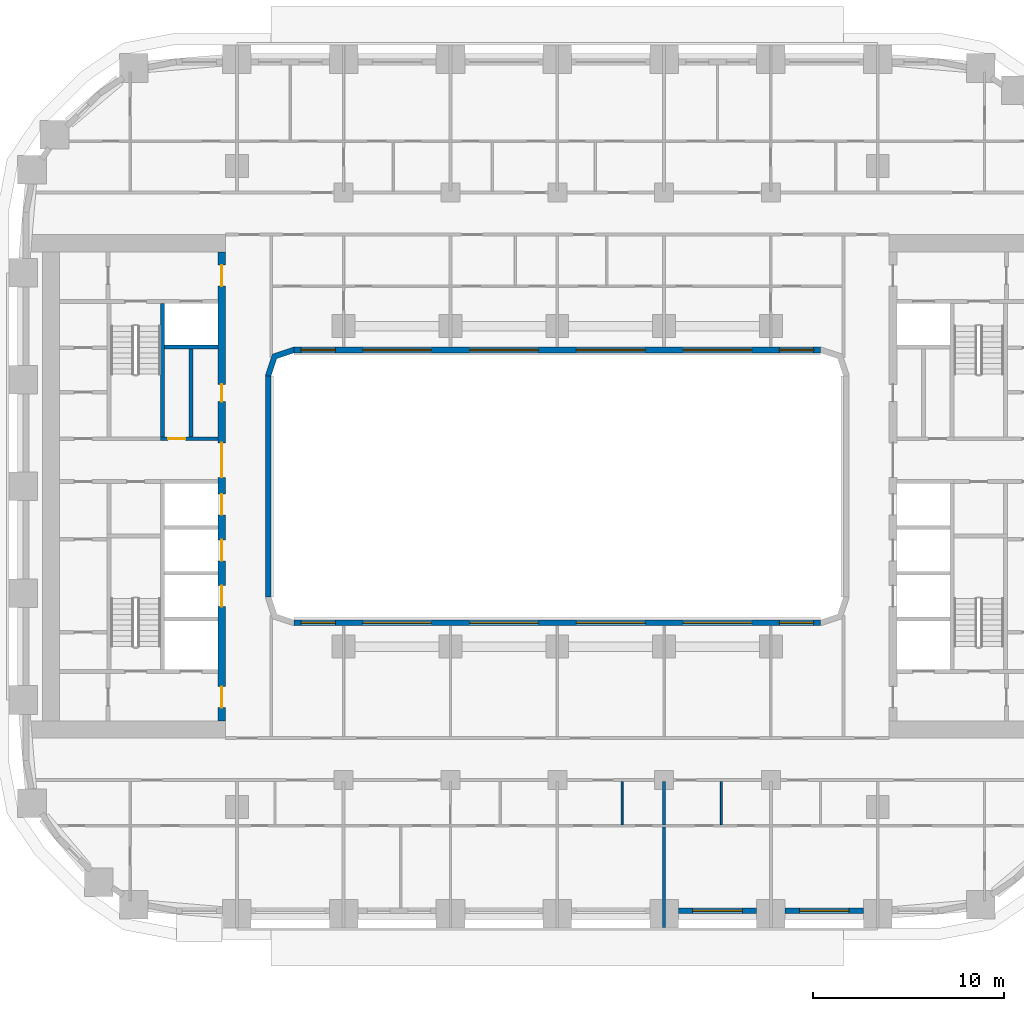
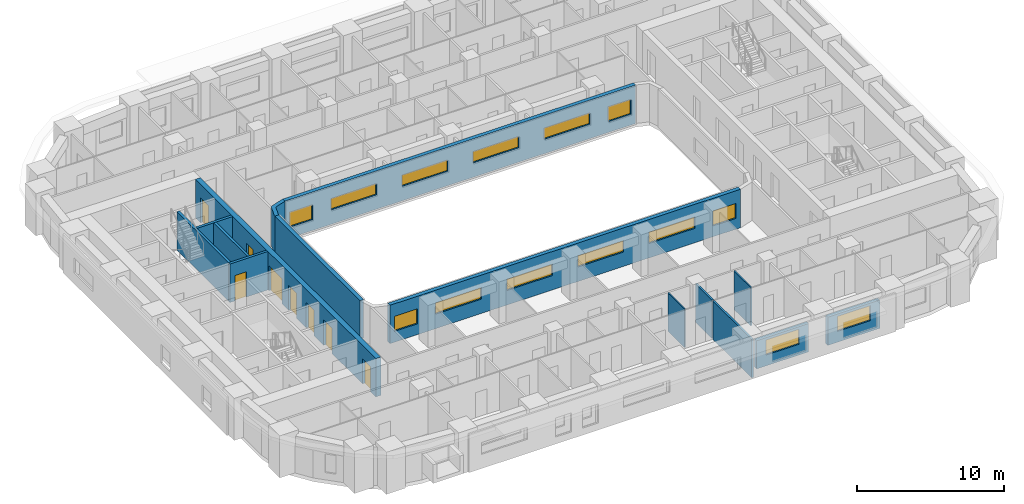
# One storey, part 5 of 21: 15 walls, 14 windows, 8 doors, 22 openings.
"""IFC4 building model written with IfcOpenShell, lengths in metres."""

from ifc_helpers import new_model, si_unit, direction, frame, frame_2d, origin, place, context, subcontext, project, spatial, polyline, rectangle, outline, extrude, material, layer, layer_set, type_object, element, fill, save


model = new_model("IFC4")

# Units and contexts
model_context = context("Model", 3, precision=1e-05, world=origin(), true_north=direction((0.0, 1.0)))
body_context = subcontext(model_context, "Body", "Model", "MODEL_VIEW")
ifc_project = project(units=[si_unit("LENGTHUNIT", "METRE"), si_unit("AREAUNIT", "SQUARE_METRE"), si_unit("VOLUMEUNIT", "CUBIC_METRE"), si_unit("PLANEANGLEUNIT", "RADIAN"), si_unit("MASSUNIT", "GRAM", prefix="KILO")], contexts=[model_context])

# Site, building, storey
site_placement = place(None, origin())
site = spatial("IfcSite", under=ifc_project, at=site_placement, CompositionType="ELEMENT")
building_placement = place(site_placement, origin())
building = spatial("IfcBuilding", under=site, at=building_placement, Name="Kiln Ring Residences", CompositionType="ELEMENT")
storey_placement = place(building_placement, frame((0.0, 0.0, 41.0)))
storey = spatial("IfcBuildingStorey", under=building, at=storey_placement, Name="L09", CompositionType="ELEMENT", Elevation=41.0)

# Wall
ifc_material_1 = material(Name="Gypsum board on steel studs", Category="steel")
ifc_layer_1 = layer(ifc_material_1, 0.199951171875)
ifc_layer_set_1 = layer_set([ifc_layer_1], Name="CORE-PARTITION-200")
wall_type_1 = type_object("IfcWallType", Name="CORE-PARTITION-200", PredefinedType="PARTITIONING", material=ifc_layer_set_1)
wall_1_placement = place(storey_placement, frame((-19.199951171875, 2.60009765625, 0.0), z_axis=(0.0, 0.0, 1.0), x_axis=(0.0, 1.0, 0.0)))
element("IfcWall", 1, at=wall_1_placement, inside=storey, type_object=wall_type_1, Name="Core partition west L09 3", PredefinedType="PARTITIONING", context=body_context, shape_type="SweptSolid", body=[
    extrude(rectangle(XDim=4.599853515625, YDim=0.199951171875, at=frame_2d((2.2998046875, 0.0))), origin(), (0.0, 0.0, 1.0), 3.199951171875),
])

# Wall, opening, door
ifc_material_2 = material(Name="Gypsum shaft wall system")
ifc_layer_2 = layer(ifc_material_2, 0.199951171875)
ifc_layer_set_2 = layer_set([ifc_layer_2], Name="CORE-SHAFT-WALL-200")
wall_type_2 = type_object("IfcWallType", Name="CORE-SHAFT-WALL-200", PredefinedType="PARTITIONING", material=ifc_layer_set_2)
wall_2_placement = place(storey_placement, frame((-17.800048828125, 2.5, 0.0), z_axis=(0.0, 0.0, 1.0), x_axis=(-1.0, 0.0, 0.0)))
wall_2 = element("IfcWall", 2, at=wall_2_placement, inside=storey, type_object=wall_type_2, Name="Core partition west L09 14", PredefinedType="PARTITIONING", context=body_context, shape_type="SweptSolid", body=[
    extrude(rectangle(XDim=3.0, YDim=0.199951171875, at=frame_2d((1.5, 0.0))), origin(), (0.0, 0.0, 1.0), 3.199951171875),
])
opening_1_placement = place(wall_2_placement, frame((1.699951171875, 0.0, 0.0)))
opening_1 = element("IfcOpeningElement", 3, at=opening_1_placement, cuts=wall_2, Name="Opening L09-CW06", PredefinedType="OPENING", context=body_context, shape_type="SweptSolid", body=[
    extrude(rectangle(XDim=0.89990234375, YDim=2.10009765625, at=frame_2d((0.449951171875, 1.050048828125))), frame((0.0, 0.10986328125, 0.0), z_axis=(0.0, -1.0, 0.0), x_axis=(1.0, 0.0, 0.0)), (0.0, 0.0, 1.0), 0.219970703125),
])
ifc_material_3 = material(Name="Steel door leaf", Category="steel")
door_type_1 = type_object("IfcDoorType", Name="CORE-DOOR-ROOM", OperationType="SINGLE_SWING_LEFT", PredefinedType="DOOR", material=ifc_material_3)
door_1_placement = place(opening_1_placement, origin())
door_1 = element("IfcDoor", 4, at=door_1_placement, inside=storey, type_object=door_type_1, Name="Cleaner's store L09-CW06", OperationType="SINGLE_SWING_LEFT", OverallHeight=2.10009765625, OverallWidth=0.89990234375, PredefinedType="DOOR", context=body_context, shape_type="SweptSolid", body=[
    extrude(rectangle(XDim=0.89990234375, YDim=2.10009765625, at=frame_2d((0.449951171875, 1.050048828125))), frame((0.0, 0.02490234375, 0.0), z_axis=(0.0, -1.0, 0.0), x_axis=(1.0, 0.0, 0.0)), (0.0, 0.0, 1.0), 0.050048828125),
])
fill(opening_1, door_1)

# Walls
wall_3_placement = place(storey_placement, frame((-17.800048828125, 7.300048828125, 0.0), z_axis=(0.0, 0.0, 1.0), x_axis=(-1.0, 0.0, 0.0)))
element("IfcWall", 5, at=wall_3_placement, inside=storey, type_object=wall_type_2, Name="Core partition west L09 15", PredefinedType="PARTITIONING", context=body_context, shape_type="SweptSolid", body=[
    extrude(rectangle(XDim=2.800048828125, YDim=0.199951171875, at=frame_2d((1.39990234375, 0.0))), origin(), (0.0, 0.0, 1.0), 3.199951171875),
])
ifc_material_4 = material(Name="Concrete C40/50", Category="concrete")
ifc_layer_3 = layer(ifc_material_4, 0.199951171875)
ifc_layer_set_3 = layer_set([ifc_layer_3], Name="CORE-WALL-RC200")
wall_type_3 = type_object("IfcWallType", Name="CORE-WALL-RC200", PredefinedType="SHEAR", material=ifc_layer_set_3)
wall_4_placement = place(storey_placement, frame((-20.699951171875, 2.60009765625, 0.0), z_axis=(0.0, 0.0, 1.0), x_axis=(0.0, 1.0, 0.0)))
element("IfcWall", 6, at=wall_4_placement, inside=storey, type_object=wall_type_3, Name="Core wall west L09 1", PredefinedType="SHEAR", context=body_context, shape_type="SweptSolid", body=[
    extrude(rectangle(XDim=7.0, YDim=0.199951171875, at=frame_2d((3.5, 0.0))), origin(), (0.0, 0.0, 1.0), 3.199951171875),
])

# Wall, openings, doors
ifc_material_5 = material(Name="Concrete C60/75", Category="concrete")
ifc_layer_4 = layer(ifc_material_5, 0.39990234375)
ifc_layer_set_4 = layer_set([ifc_layer_4], Name="CORE-WALL-RC400")
wall_type_4 = type_object("IfcWallType", Name="CORE-WALL-RC400", PredefinedType="SHEAR", material=ifc_layer_set_4)
wall_5_placement = place(storey_placement, frame((-17.60009765625, -12.300048828125, 0.0), z_axis=(0.0, 0.0, 1.0), x_axis=(0.0, 1.0, 0.0)))
wall_5 = element("IfcWall", 7, at=wall_5_placement, inside=storey, type_object=wall_type_4, Name="Core wall west L09 6", PredefinedType="SHEAR", context=body_context, shape_type="SweptSolid", body=[
    extrude(rectangle(XDim=24.60009765625, YDim=0.39990234375, at=frame_2d((12.300048828125, 0.0))), origin(), (0.0, 0.0, 1.0), 3.199951171875),
])
opening_2_placement = place(wall_5_placement, frame((6.0, 0.0, 0.0)))
opening_2 = element("IfcOpeningElement", 8, at=opening_2_placement, cuts=wall_5, Name="Opening L09-CW02", PredefinedType="OPENING", context=body_context, shape_type="SweptSolid", body=[
    extrude(rectangle(XDim=1.10009765625, YDim=2.10009765625, at=frame_2d((0.550048828125, 1.050048828125))), frame((0.0, 0.2099609375, 0.0), z_axis=(0.0, -1.0, 0.0), x_axis=(1.0, 0.0, 0.0)), (0.0, 0.0, 1.0), 0.419921875),
])
opening_3_placement = place(wall_5_placement, frame((8.39990234375, 0.0, 0.0)))
opening_3 = element("IfcOpeningElement", 9, at=opening_3_placement, cuts=wall_5, Name="Opening L09-CW03", PredefinedType="OPENING", context=body_context, shape_type="SweptSolid", body=[
    extrude(rectangle(XDim=1.10009765625, YDim=2.10009765625, at=frame_2d((0.550048828125, 1.050048828125))), frame((0.0, 0.2099609375, 0.0), z_axis=(0.0, -1.0, 0.0), x_axis=(1.0, 0.0, 0.0)), (0.0, 0.0, 1.0), 0.419921875),
])
opening_4_placement = place(wall_5_placement, frame((10.800048828125, 0.0, 0.0)))
opening_4 = element("IfcOpeningElement", 10, at=opening_4_placement, cuts=wall_5, Name="Opening L09-CW04", PredefinedType="OPENING", context=body_context, shape_type="SweptSolid", body=[
    extrude(rectangle(XDim=1.10009765625, YDim=2.10009765625, at=frame_2d((0.550048828125, 1.050048828125))), frame((0.0, 0.2099609375, 0.0), z_axis=(0.0, -1.0, 0.0), x_axis=(1.0, 0.0, 0.0)), (0.0, 0.0, 1.0), 0.419921875),
])
opening_5_placement = place(wall_5_placement, frame((16.75, 0.0, 0.0)))
opening_5 = element("IfcOpeningElement", 11, at=opening_5_placement, cuts=wall_5, Name="Opening L09-CW05", PredefinedType="OPENING", context=body_context, shape_type="SweptSolid", body=[
    extrude(rectangle(XDim=0.89990234375, YDim=2.10009765625, at=frame_2d((0.449951171875, 1.050048828125))), frame((0.0, 0.2099609375, 0.0), z_axis=(0.0, -1.0, 0.0), x_axis=(1.0, 0.0, 0.0)), (0.0, 0.0, 1.0), 0.419921875),
])
opening_6_placement = place(wall_5_placement, frame((22.800048828125, 0.0, 0.0)))
opening_6 = element("IfcOpeningElement", 12, at=opening_6_placement, cuts=wall_5, Name="Opening L09-CW08", PredefinedType="OPENING", context=body_context, shape_type="SweptSolid", body=[
    extrude(rectangle(XDim=1.10009765625, YDim=2.10009765625, at=frame_2d((0.550048828125, 1.050048828125))), frame((0.0, 0.2099609375, 0.0), z_axis=(0.0, -1.0, 0.0), x_axis=(1.0, 0.0, 0.0)), (0.0, 0.0, 1.0), 0.419921875),
])
opening_7_placement = place(wall_5_placement, frame((0.699951171875, 0.0, 0.0)))
opening_7 = element("IfcOpeningElement", 13, at=opening_7_placement, cuts=wall_5, Name="Opening L09-CW09", PredefinedType="OPENING", context=body_context, shape_type="SweptSolid", body=[
    extrude(rectangle(XDim=1.10009765625, YDim=2.10009765625, at=frame_2d((0.550048828125, 1.050048828125))), frame((0.0, 0.2099609375, 0.0), z_axis=(0.0, -1.0, 0.0), x_axis=(1.0, 0.0, 0.0)), (0.0, 0.0, 1.0), 0.419921875),
])
opening_8_placement = place(wall_5_placement, frame((12.77490234375, 0.0, 0.0)))
opening_8 = element("IfcOpeningElement", 14, at=opening_8_placement, cuts=wall_5, Name="Opening L09-CW14", PredefinedType="OPENING", context=body_context, shape_type="SweptSolid", body=[
    extrude(rectangle(XDim=1.800048828125, YDim=2.10009765625, at=frame_2d((0.89990234375, 1.050048828125))), frame((0.0, 0.2099609375, 0.0), z_axis=(0.0, -1.0, 0.0), x_axis=(1.0, 0.0, 0.0)), (0.0, 0.0, 1.0), 0.419921875),
])
ifc_material_6 = material(Name="Steel door leaf", Category="steel")
door_type_2 = type_object("IfcDoorType", Name="CORE-DOOR-LD", OperationType="DOUBLE_DOOR_SLIDING", PredefinedType="DOOR", material=ifc_material_6)
door_2_placement = place(opening_2_placement, origin())
door_2 = element("IfcDoor", 15, at=door_2_placement, inside=storey, type_object=door_type_2, Name="LD W-L1 L09-CW02", OperationType="DOUBLE_DOOR_SLIDING", OverallHeight=2.10009765625, OverallWidth=1.10009765625, PredefinedType="DOOR", context=body_context, shape_type="SweptSolid", body=[
    extrude(rectangle(XDim=1.10009765625, YDim=2.10009765625, at=frame_2d((0.550048828125, 1.050048828125))), frame((0.0, 0.02490234375, 0.0), z_axis=(0.0, -1.0, 0.0), x_axis=(1.0, 0.0, 0.0)), (0.0, 0.0, 1.0), 0.050048828125),
])
fill(opening_2, door_2)
door_3_placement = place(opening_3_placement, origin())
door_3 = element("IfcDoor", 16, at=door_3_placement, inside=storey, type_object=door_type_2, Name="LD W-L2 L09-CW03", OperationType="DOUBLE_DOOR_SLIDING", OverallHeight=2.10009765625, OverallWidth=1.10009765625, PredefinedType="DOOR", context=body_context, shape_type="SweptSolid", body=[
    extrude(rectangle(XDim=1.10009765625, YDim=2.10009765625, at=frame_2d((0.550048828125, 1.050048828125))), frame((0.0, 0.02490234375, 0.0), z_axis=(0.0, -1.0, 0.0), x_axis=(1.0, 0.0, 0.0)), (0.0, 0.0, 1.0), 0.050048828125),
])
fill(opening_3, door_3)
door_4_placement = place(opening_4_placement, origin())
door_4 = element("IfcDoor", 17, at=door_4_placement, inside=storey, type_object=door_type_2, Name="LD W-L3 L09-CW04", OperationType="DOUBLE_DOOR_SLIDING", OverallHeight=2.10009765625, OverallWidth=1.10009765625, PredefinedType="DOOR", context=body_context, shape_type="SweptSolid", body=[
    extrude(rectangle(XDim=1.10009765625, YDim=2.10009765625, at=frame_2d((0.550048828125, 1.050048828125))), frame((0.0, 0.02490234375, 0.0), z_axis=(0.0, -1.0, 0.0), x_axis=(1.0, 0.0, 0.0)), (0.0, 0.0, 1.0), 0.050048828125),
])
fill(opening_4, door_4)
ifc_material_7 = material(Name="Steel door leaf", Category="steel")
door_type_3 = type_object("IfcDoorType", Name="CORE-DOOR-LOBBY", OperationType="SINGLE_SWING_LEFT", PredefinedType="DOOR", material=ifc_material_7)
door_5_placement = place(opening_6_placement, origin())
door_5 = element("IfcDoor", 18, at=door_5_placement, inside=storey, type_object=door_type_3, Name="FFL L09-CW08", OperationType="SINGLE_SWING_LEFT", OverallHeight=2.10009765625, OverallWidth=1.10009765625, PredefinedType="DOOR", context=body_context, shape_type="SweptSolid", body=[
    extrude(rectangle(XDim=1.10009765625, YDim=2.10009765625, at=frame_2d((0.550048828125, 1.050048828125))), frame((0.0, 0.02490234375, 0.0), z_axis=(0.0, -1.0, 0.0), x_axis=(1.0, 0.0, 0.0)), (0.0, 0.0, 1.0), 0.050048828125),
])
fill(opening_6, door_5)
door_6_placement = place(opening_7_placement, origin())
door_6 = element("IfcDoor", 19, at=door_6_placement, inside=storey, type_object=door_type_3, Name="SVL L09-CW09", OperationType="SINGLE_SWING_RIGHT", OverallHeight=2.10009765625, OverallWidth=1.10009765625, PredefinedType="DOOR", context=body_context, shape_type="SweptSolid", body=[
    extrude(rectangle(XDim=1.10009765625, YDim=2.10009765625, at=frame_2d((0.550048828125, 1.050048828125))), frame((0.0, 0.02490234375, 0.0), z_axis=(0.0, -1.0, 0.0), x_axis=(1.0, 0.0, 0.0)), (0.0, 0.0, 1.0), 0.050048828125),
])
fill(opening_7, door_6)
ifc_material_8 = material(Name="Steel door leaf", Category="steel")
door_type_4 = type_object("IfcDoorType", Name="CORE-DOOR-PASS", OperationType="DOUBLE_DOOR_SINGLE_SWING", PredefinedType="DOOR", material=ifc_material_8)
door_7_placement = place(opening_8_placement, origin())
door_7 = element("IfcDoor", 20, at=door_7_placement, inside=storey, type_object=door_type_4, Name="Core passage L09-CW14", OperationType="DOUBLE_DOOR_SINGLE_SWING", OverallHeight=2.10009765625, OverallWidth=1.800048828125, PredefinedType="DOOR", context=body_context, shape_type="SweptSolid", body=[
    extrude(rectangle(XDim=1.800048828125, YDim=2.10009765625, at=frame_2d((0.89990234375, 1.050048828125))), frame((0.0, 0.02490234375, 0.0), z_axis=(0.0, -1.0, 0.0), x_axis=(1.0, 0.0, 0.0)), (0.0, 0.0, 1.0), 0.050048828125),
])
fill(opening_8, door_7)
door_8_placement = place(opening_5_placement, origin())
door_8 = element("IfcDoor", 21, at=door_8_placement, inside=storey, type_object=door_type_1, Name="Storage room L09-CW05", OperationType="SINGLE_SWING_LEFT", OverallHeight=2.10009765625, OverallWidth=0.89990234375, PredefinedType="DOOR", context=body_context, shape_type="SweptSolid", body=[
    extrude(rectangle(XDim=0.89990234375, YDim=2.10009765625, at=frame_2d((0.449951171875, 1.050048828125))), frame((0.0, 0.02490234375, 0.0), z_axis=(0.0, -1.0, 0.0), x_axis=(1.0, 0.0, 0.0)), (0.0, 0.0, 1.0), 0.050048828125),
])
fill(opening_5, door_8)

# Wall, opening, window
ifc_material_9 = material(Name="Brick masonry, dark clay brick", Category="masonry")
ifc_layer_5 = layer(ifc_material_9, 0.300048828125)
ifc_layer_set_5 = layer_set([ifc_layer_5], Name="EW-300 BRICK WALL")
wall_type_5 = type_object("IfcWallType", Name="EW-300 BRICK WALL", PredefinedType="SOLIDWALL", material=ifc_layer_set_5)
wall_6_placement = place(storey_placement, frame((6.35009765625, -22.25, 0.0), z_axis=(0.0, 0.0, 1.0), x_axis=(1.0, 0.0, 0.0)))
wall_6 = element("IfcWall", 22, at=wall_6_placement, inside=storey, type_object=wall_type_5, Name="Facade wall L09 9", PredefinedType="SOLIDWALL", context=body_context, shape_type="SweptSolid", body=[
    extrude(rectangle(XDim=4.099853515625, YDim=0.300048828125, at=frame_2d((2.0498046875, 0.0))), origin(), (0.0, 0.0, 1.0), 2.35009765625),
])
opening_9_placement = place(wall_6_placement, frame((0.75, 0.0, 0.89990234375)))
opening_9 = element("IfcOpeningElement", 23, at=opening_9_placement, cuts=wall_6, Name="Opening W3", PredefinedType="OPENING", context=body_context, shape_type="SweptSolid", body=[
    extrude(rectangle(XDim=2.60009765625, YDim=1.25, at=frame_2d((1.300048828125, 0.625))), frame((0.0, 0.159912109375, 0.0), z_axis=(0.0, -1.0, 0.0), x_axis=(1.0, 0.0, 0.0)), (0.0, 0.0, 1.0), 0.320068359375),
])
ifc_material_10 = material(Name="Aluminium frame with double glazing", Category="aluminium")
window_type_1 = type_object("IfcWindowType", Name="WINDOW 2600 x 1250", PartitioningType="SINGLE_PANEL", PredefinedType="WINDOW", material=ifc_material_10)
window_1_placement = place(opening_9_placement, origin())
window_1 = element("IfcWindow", 24, at=window_1_placement, inside=storey, type_object=window_type_1, Name="Window L09 8", OverallHeight=1.25, OverallWidth=2.60009765625, PartitioningType="SINGLE_PANEL", PredefinedType="WINDOW", context=body_context, shape_type="SweptSolid", body=[
    extrude(rectangle(XDim=2.60009765625, YDim=1.25, at=frame_2d((1.300048828125, 0.625))), frame((0.0, 0.030029296875, 0.0), z_axis=(0.0, -1.0, 0.0), x_axis=(1.0, 0.0, 0.0)), (0.0, 0.0, 1.0), 0.06005859375),
])
fill(opening_9, window_1)

wall_7_placement = place(storey_placement, frame((11.949951171875, -22.25, 0.0), z_axis=(0.0, 0.0, 1.0), x_axis=(1.0, 0.0, 0.0)))
wall_7 = element("IfcWall", 25, at=wall_7_placement, inside=storey, type_object=wall_type_5, Name="Facade wall L09 10", PredefinedType="SOLIDWALL", context=body_context, shape_type="SweptSolid", body=[
    extrude(rectangle(XDim=4.10009765625, YDim=0.300048828125, at=frame_2d((2.050048828125, 0.0))), origin(), (0.0, 0.0, 1.0), 2.35009765625),
])
opening_10_placement = place(wall_7_placement, frame((0.75, 0.0, 0.89990234375)))
opening_10 = element("IfcOpeningElement", 26, at=opening_10_placement, cuts=wall_7, Name="Opening W3", PredefinedType="OPENING", context=body_context, shape_type="SweptSolid", body=[
    extrude(rectangle(XDim=2.60009765625, YDim=1.25, at=frame_2d((1.300048828125, 0.625))), frame((0.0, 0.159912109375, 0.0), z_axis=(0.0, -1.0, 0.0), x_axis=(1.0, 0.0, 0.0)), (0.0, 0.0, 1.0), 0.320068359375),
])
window_2_placement = place(opening_10_placement, origin())
window_2 = element("IfcWindow", 27, at=window_2_placement, inside=storey, type_object=window_type_1, Name="Window L09 9", OverallHeight=1.25, OverallWidth=2.60009765625, PartitioningType="SINGLE_PANEL", PredefinedType="WINDOW", context=body_context, shape_type="SweptSolid", body=[
    extrude(rectangle(XDim=2.60009765625, YDim=1.25, at=frame_2d((1.300048828125, 0.625))), frame((0.0, 0.030029296875, 0.0), z_axis=(0.0, -1.0, 0.0), x_axis=(1.0, 0.0, 0.0)), (0.0, 0.0, 1.0), 0.06005859375),
])
fill(opening_10, window_2)

# Wall
wall_8_placement = place(storey_placement, frame((-15.14990234375, -5.800048828125, 0.0), z_axis=(0.0, 0.0, 1.0), x_axis=(0.0, 1.0, 0.0)))
element("IfcWall", 28, at=wall_8_placement, inside=storey, type_object=wall_type_5, Name="Facade wall L09 49", PredefinedType="SOLIDWALL", context=body_context, shape_type="SweptSolid", body=[
    extrude(rectangle(XDim=11.60009765625, YDim=0.300048828125, at=frame_2d((5.800048828125, 0.0))), origin(), (0.0, 0.0, 1.0), 3.199951171875),
])

# Wall, openings, windows
wall_9_placement = place(storey_placement, frame((-13.800048828125, 7.14990234375, 0.0), z_axis=(0.0, 0.0, 1.0), x_axis=(1.0, 0.0, 0.0)))
wall_9 = element("IfcWall", 29, at=wall_9_placement, inside=storey, type_object=wall_type_5, Name="Facade wall L09 50", PredefinedType="SOLIDWALL", context=body_context, shape_type="SweptSolid", body=[
    extrude(rectangle(XDim=27.60009765625, YDim=0.300048828125, at=frame_2d((13.800048828125, 0.0))), origin(), (0.0, 0.0, 1.0), 3.199951171875),
])
opening_11_placement = place(wall_9_placement, frame((0.362548828125, 0.0, 0.89990234375)))
opening_11 = element("IfcOpeningElement", 30, at=opening_11_placement, cuts=wall_9, Name="Opening W2", PredefinedType="OPENING", context=body_context, shape_type="SweptSolid", body=[
    extrude(rectangle(XDim=1.800048828125, YDim=1.25, at=frame_2d((0.89990234375, 0.625))), frame((0.0, 0.159912109375, 0.0), z_axis=(0.0, -1.0, 0.0), x_axis=(1.0, 0.0, 0.0)), (0.0, 0.0, 1.0), 0.320068359375),
])
opening_12_placement = place(wall_9_placement, frame((3.60009765625, 0.0, 1.199951171875)))
opening_12 = element("IfcOpeningElement", 31, at=opening_12_placement, cuts=wall_9, Name="Opening W4", PredefinedType="OPENING", context=body_context, shape_type="SweptSolid", body=[
    extrude(rectangle(XDim=3.60009765625, YDim=0.949951171875, at=frame_2d((1.800048828125, 0.47509765625))), frame((0.0, 0.159912109375, 0.0), z_axis=(0.0, -1.0, 0.0), x_axis=(1.0, 0.0, 0.0)), (0.0, 0.0, 1.0), 0.320068359375),
])
opening_13_placement = place(wall_9_placement, frame((9.199951171875, 0.0, 1.199951171875)))
opening_13 = element("IfcOpeningElement", 32, at=opening_13_placement, cuts=wall_9, Name="Opening W4", PredefinedType="OPENING", context=body_context, shape_type="SweptSolid", body=[
    extrude(rectangle(XDim=3.60009765625, YDim=0.949951171875, at=frame_2d((1.800048828125, 0.47509765625))), frame((0.0, 0.159912109375, 0.0), z_axis=(0.0, -1.0, 0.0), x_axis=(1.0, 0.0, 0.0)), (0.0, 0.0, 1.0), 0.320068359375),
])
opening_14_placement = place(wall_9_placement, frame((14.800048828125, 0.0, 1.199951171875)))
opening_14 = element("IfcOpeningElement", 33, at=opening_14_placement, cuts=wall_9, Name="Opening W4", PredefinedType="OPENING", context=body_context, shape_type="SweptSolid", body=[
    extrude(rectangle(XDim=3.60009765625, YDim=0.949951171875, at=frame_2d((1.800048828125, 0.47509765625))), frame((0.0, 0.159912109375, 0.0), z_axis=(0.0, -1.0, 0.0), x_axis=(1.0, 0.0, 0.0)), (0.0, 0.0, 1.0), 0.320068359375),
])
opening_15_placement = place(wall_9_placement, frame((20.39990234375, 0.0, 1.199951171875)))
opening_15 = element("IfcOpeningElement", 34, at=opening_15_placement, cuts=wall_9, Name="Opening W4", PredefinedType="OPENING", context=body_context, shape_type="SweptSolid", body=[
    extrude(rectangle(XDim=3.60009765625, YDim=0.949951171875, at=frame_2d((1.800048828125, 0.47509765625))), frame((0.0, 0.159912109375, 0.0), z_axis=(0.0, -1.0, 0.0), x_axis=(1.0, 0.0, 0.0)), (0.0, 0.0, 1.0), 0.320068359375),
])
opening_16_placement = place(wall_9_placement, frame((25.4375, 0.0, 0.89990234375)))
opening_16 = element("IfcOpeningElement", 35, at=opening_16_placement, cuts=wall_9, Name="Opening W2", PredefinedType="OPENING", context=body_context, shape_type="SweptSolid", body=[
    extrude(rectangle(XDim=1.800048828125, YDim=1.25, at=frame_2d((0.89990234375, 0.625))), frame((0.0, 0.159912109375, 0.0), z_axis=(0.0, -1.0, 0.0), x_axis=(1.0, 0.0, 0.0)), (0.0, 0.0, 1.0), 0.320068359375),
])
ifc_material_11 = material(Name="Aluminium frame with double glazing", Category="aluminium")
window_type_2 = type_object("IfcWindowType", Name="WINDOW 1800 x 1250", PartitioningType="SINGLE_PANEL", PredefinedType="WINDOW", material=ifc_material_11)
window_3_placement = place(opening_11_placement, origin())
window_3 = element("IfcWindow", 36, at=window_3_placement, inside=storey, type_object=window_type_2, Name="Window L09 24", OverallHeight=1.25, OverallWidth=1.800048828125, PartitioningType="SINGLE_PANEL", PredefinedType="WINDOW", context=body_context, shape_type="SweptSolid", body=[
    extrude(rectangle(XDim=1.800048828125, YDim=1.25, at=frame_2d((0.89990234375, 0.625))), frame((0.0, 0.030029296875, 0.0), z_axis=(0.0, -1.0, 0.0), x_axis=(1.0, 0.0, 0.0)), (0.0, 0.0, 1.0), 0.06005859375),
])
fill(opening_11, window_3)
window_4_placement = place(opening_16_placement, origin())
window_4 = element("IfcWindow", 37, at=window_4_placement, inside=storey, type_object=window_type_2, Name="Window L09 29", OverallHeight=1.25, OverallWidth=1.800048828125, PartitioningType="SINGLE_PANEL", PredefinedType="WINDOW", context=body_context, shape_type="SweptSolid", body=[
    extrude(rectangle(XDim=1.800048828125, YDim=1.25, at=frame_2d((0.89990234375, 0.625))), frame((0.0, 0.030029296875, 0.0), z_axis=(0.0, -1.0, 0.0), x_axis=(1.0, 0.0, 0.0)), (0.0, 0.0, 1.0), 0.06005859375),
])
fill(opening_16, window_4)
ifc_material_12 = material(Name="Aluminium frame with double glazing", Category="aluminium")
window_type_3 = type_object("IfcWindowType", Name="WINDOW 3600 x 950", PartitioningType="SINGLE_PANEL", PredefinedType="WINDOW", material=ifc_material_12)
window_5_placement = place(opening_12_placement, origin())
window_5 = element("IfcWindow", 38, at=window_5_placement, inside=storey, type_object=window_type_3, Name="Window L09 25", OverallHeight=0.949951171875, OverallWidth=3.60009765625, PartitioningType="SINGLE_PANEL", PredefinedType="WINDOW", context=body_context, shape_type="SweptSolid", body=[
    extrude(rectangle(XDim=3.60009765625, YDim=0.949951171875, at=frame_2d((1.800048828125, 0.47509765625))), frame((0.0, 0.030029296875, 0.0), z_axis=(0.0, -1.0, 0.0), x_axis=(1.0, 0.0, 0.0)), (0.0, 0.0, 1.0), 0.06005859375),
])
fill(opening_12, window_5)
window_6_placement = place(opening_13_placement, origin())
window_6 = element("IfcWindow", 39, at=window_6_placement, inside=storey, type_object=window_type_3, Name="Window L09 26", OverallHeight=0.949951171875, OverallWidth=3.60009765625, PartitioningType="SINGLE_PANEL", PredefinedType="WINDOW", context=body_context, shape_type="SweptSolid", body=[
    extrude(rectangle(XDim=3.60009765625, YDim=0.949951171875, at=frame_2d((1.800048828125, 0.47509765625))), frame((0.0, 0.030029296875, 0.0), z_axis=(0.0, -1.0, 0.0), x_axis=(1.0, 0.0, 0.0)), (0.0, 0.0, 1.0), 0.06005859375),
])
fill(opening_13, window_6)
window_7_placement = place(opening_14_placement, origin())
window_7 = element("IfcWindow", 40, at=window_7_placement, inside=storey, type_object=window_type_3, Name="Window L09 27", OverallHeight=0.949951171875, OverallWidth=3.60009765625, PartitioningType="SINGLE_PANEL", PredefinedType="WINDOW", context=body_context, shape_type="SweptSolid", body=[
    extrude(rectangle(XDim=3.60009765625, YDim=0.949951171875, at=frame_2d((1.800048828125, 0.47509765625))), frame((0.0, 0.030029296875, 0.0), z_axis=(0.0, -1.0, 0.0), x_axis=(1.0, 0.0, 0.0)), (0.0, 0.0, 1.0), 0.06005859375),
])
fill(opening_14, window_7)
window_8_placement = place(opening_15_placement, origin())
window_8 = element("IfcWindow", 41, at=window_8_placement, inside=storey, type_object=window_type_3, Name="Window L09 28", OverallHeight=0.949951171875, OverallWidth=3.60009765625, PartitioningType="SINGLE_PANEL", PredefinedType="WINDOW", context=body_context, shape_type="SweptSolid", body=[
    extrude(rectangle(XDim=3.60009765625, YDim=0.949951171875, at=frame_2d((1.800048828125, 0.47509765625))), frame((0.0, 0.030029296875, 0.0), z_axis=(0.0, -1.0, 0.0), x_axis=(1.0, 0.0, 0.0)), (0.0, 0.0, 1.0), 0.06005859375),
])
fill(opening_15, window_8)

wall_10_placement = place(storey_placement, frame((13.800048828125, -7.14990234375, 0.0), z_axis=(0.0, 0.0, 1.0), x_axis=(-1.0, 0.0, 0.0)))
wall_10 = element("IfcWall", 42, at=wall_10_placement, inside=storey, type_object=wall_type_5, Name="Facade wall L09 52", PredefinedType="SOLIDWALL", context=body_context, shape_type="SweptSolid", body=[
    extrude(rectangle(XDim=27.60009765625, YDim=0.300048828125, at=frame_2d((13.800048828125, 0.0))), origin(), (0.0, 0.0, 1.0), 3.199951171875),
])
opening_17_placement = place(wall_10_placement, frame((0.362548828125, 0.0, 0.89990234375)))
opening_17 = element("IfcOpeningElement", 43, at=opening_17_placement, cuts=wall_10, Name="Opening W2", PredefinedType="OPENING", context=body_context, shape_type="SweptSolid", body=[
    extrude(rectangle(XDim=1.800048828125, YDim=1.25, at=frame_2d((0.89990234375, 0.625))), frame((0.0, 0.159912109375, 0.0), z_axis=(0.0, -1.0, 0.0), x_axis=(1.0, 0.0, 0.0)), (0.0, 0.0, 1.0), 0.320068359375),
])
opening_18_placement = place(wall_10_placement, frame((3.60009765625, 0.0, 1.199951171875)))
opening_18 = element("IfcOpeningElement", 44, at=opening_18_placement, cuts=wall_10, Name="Opening W4", PredefinedType="OPENING", context=body_context, shape_type="SweptSolid", body=[
    extrude(rectangle(XDim=3.60009765625, YDim=0.949951171875, at=frame_2d((1.800048828125, 0.47509765625))), frame((0.0, 0.159912109375, 0.0), z_axis=(0.0, -1.0, 0.0), x_axis=(1.0, 0.0, 0.0)), (0.0, 0.0, 1.0), 0.320068359375),
])
opening_19_placement = place(wall_10_placement, frame((9.199951171875, 0.0, 1.199951171875)))
opening_19 = element("IfcOpeningElement", 45, at=opening_19_placement, cuts=wall_10, Name="Opening W4", PredefinedType="OPENING", context=body_context, shape_type="SweptSolid", body=[
    extrude(rectangle(XDim=3.60009765625, YDim=0.949951171875, at=frame_2d((1.800048828125, 0.47509765625))), frame((0.0, 0.159912109375, 0.0), z_axis=(0.0, -1.0, 0.0), x_axis=(1.0, 0.0, 0.0)), (0.0, 0.0, 1.0), 0.320068359375),
])
opening_20_placement = place(wall_10_placement, frame((14.800048828125, 0.0, 1.199951171875)))
opening_20 = element("IfcOpeningElement", 46, at=opening_20_placement, cuts=wall_10, Name="Opening W4", PredefinedType="OPENING", context=body_context, shape_type="SweptSolid", body=[
    extrude(rectangle(XDim=3.60009765625, YDim=0.949951171875, at=frame_2d((1.800048828125, 0.47509765625))), frame((0.0, 0.159912109375, 0.0), z_axis=(0.0, -1.0, 0.0), x_axis=(1.0, 0.0, 0.0)), (0.0, 0.0, 1.0), 0.320068359375),
])
opening_21_placement = place(wall_10_placement, frame((20.39990234375, 0.0, 1.199951171875)))
opening_21 = element("IfcOpeningElement", 47, at=opening_21_placement, cuts=wall_10, Name="Opening W4", PredefinedType="OPENING", context=body_context, shape_type="SweptSolid", body=[
    extrude(rectangle(XDim=3.60009765625, YDim=0.949951171875, at=frame_2d((1.800048828125, 0.47509765625))), frame((0.0, 0.159912109375, 0.0), z_axis=(0.0, -1.0, 0.0), x_axis=(1.0, 0.0, 0.0)), (0.0, 0.0, 1.0), 0.320068359375),
])
opening_22_placement = place(wall_10_placement, frame((25.4375, 0.0, 0.89990234375)))
opening_22 = element("IfcOpeningElement", 48, at=opening_22_placement, cuts=wall_10, Name="Opening W2", PredefinedType="OPENING", context=body_context, shape_type="SweptSolid", body=[
    extrude(rectangle(XDim=1.800048828125, YDim=1.25, at=frame_2d((0.89990234375, 0.625))), frame((0.0, 0.159912109375, 0.0), z_axis=(0.0, -1.0, 0.0), x_axis=(1.0, 0.0, 0.0)), (0.0, 0.0, 1.0), 0.320068359375),
])
window_9_placement = place(opening_17_placement, origin())
window_9 = element("IfcWindow", 49, at=window_9_placement, inside=storey, type_object=window_type_2, Name="Window L09 30", OverallHeight=1.25, OverallWidth=1.800048828125, PartitioningType="SINGLE_PANEL", PredefinedType="WINDOW", context=body_context, shape_type="SweptSolid", body=[
    extrude(rectangle(XDim=1.800048828125, YDim=1.25, at=frame_2d((0.89990234375, 0.625))), frame((0.0, 0.030029296875, 0.0), z_axis=(0.0, -1.0, 0.0), x_axis=(1.0, 0.0, 0.0)), (0.0, 0.0, 1.0), 0.06005859375),
])
fill(opening_17, window_9)
window_10_placement = place(opening_22_placement, origin())
window_10 = element("IfcWindow", 50, at=window_10_placement, inside=storey, type_object=window_type_2, Name="Window L09 35", OverallHeight=1.25, OverallWidth=1.800048828125, PartitioningType="SINGLE_PANEL", PredefinedType="WINDOW", context=body_context, shape_type="SweptSolid", body=[
    extrude(rectangle(XDim=1.800048828125, YDim=1.25, at=frame_2d((0.89990234375, 0.625))), frame((0.0, 0.030029296875, 0.0), z_axis=(0.0, -1.0, 0.0), x_axis=(1.0, 0.0, 0.0)), (0.0, 0.0, 1.0), 0.06005859375),
])
fill(opening_22, window_10)
window_11_placement = place(opening_18_placement, origin())
window_11 = element("IfcWindow", 51, at=window_11_placement, inside=storey, type_object=window_type_3, Name="Window L09 31", OverallHeight=0.949951171875, OverallWidth=3.60009765625, PartitioningType="SINGLE_PANEL", PredefinedType="WINDOW", context=body_context, shape_type="SweptSolid", body=[
    extrude(rectangle(XDim=3.60009765625, YDim=0.949951171875, at=frame_2d((1.800048828125, 0.47509765625))), frame((0.0, 0.030029296875, 0.0), z_axis=(0.0, -1.0, 0.0), x_axis=(1.0, 0.0, 0.0)), (0.0, 0.0, 1.0), 0.06005859375),
])
fill(opening_18, window_11)
window_12_placement = place(opening_19_placement, origin())
window_12 = element("IfcWindow", 52, at=window_12_placement, inside=storey, type_object=window_type_3, Name="Window L09 32", OverallHeight=0.949951171875, OverallWidth=3.60009765625, PartitioningType="SINGLE_PANEL", PredefinedType="WINDOW", context=body_context, shape_type="SweptSolid", body=[
    extrude(rectangle(XDim=3.60009765625, YDim=0.949951171875, at=frame_2d((1.800048828125, 0.47509765625))), frame((0.0, 0.030029296875, 0.0), z_axis=(0.0, -1.0, 0.0), x_axis=(1.0, 0.0, 0.0)), (0.0, 0.0, 1.0), 0.06005859375),
])
fill(opening_19, window_12)
window_13_placement = place(opening_20_placement, origin())
window_13 = element("IfcWindow", 53, at=window_13_placement, inside=storey, type_object=window_type_3, Name="Window L09 33", OverallHeight=0.949951171875, OverallWidth=3.60009765625, PartitioningType="SINGLE_PANEL", PredefinedType="WINDOW", context=body_context, shape_type="SweptSolid", body=[
    extrude(rectangle(XDim=3.60009765625, YDim=0.949951171875, at=frame_2d((1.800048828125, 0.47509765625))), frame((0.0, 0.030029296875, 0.0), z_axis=(0.0, -1.0, 0.0), x_axis=(1.0, 0.0, 0.0)), (0.0, 0.0, 1.0), 0.06005859375),
])
fill(opening_20, window_13)
window_14_placement = place(opening_21_placement, origin())
window_14 = element("IfcWindow", 54, at=window_14_placement, inside=storey, type_object=window_type_3, Name="Window L09 34", OverallHeight=0.949951171875, OverallWidth=3.60009765625, PartitioningType="SINGLE_PANEL", PredefinedType="WINDOW", context=body_context, shape_type="SweptSolid", body=[
    extrude(rectangle(XDim=3.60009765625, YDim=0.949951171875, at=frame_2d((1.800048828125, 0.47509765625))), frame((0.0, 0.030029296875, 0.0), z_axis=(0.0, -1.0, 0.0), x_axis=(1.0, 0.0, 0.0)), (0.0, 0.0, 1.0), 0.06005859375),
])
fill(opening_21, window_14)

# Walls
wall_11_placement = place(storey_placement, origin())
element("IfcWall", 55, at=wall_11_placement, inside=storey, type_object=wall_type_5, Name="Corner wall L09 1", PredefinedType="SOLIDWALL", context=body_context, shape_type="SweptSolid", body=[
    extrude(outline(polyline([(-13.8486328125, 7.300048828125), (-14.937255859375, 6.937255859375), (-15.300048828125, 5.8486328125), (-15.300048828125, 5.800048828125), (-15.0, 5.800048828125), (-14.699951171875, 6.699951171875), (-13.800048828125, 7.0), (-13.800048828125, 7.300048828125), (-13.8486328125, 7.300048828125)])), origin(), (0.0, 0.0, 1.0), 3.199951171875),
])
ifc_material_13 = material(Name="Gypsum board on steel studs", Category="steel")
ifc_layer_6 = layer(ifc_material_13, 0.10009765625)
ifc_layer_set_6 = layer_set([ifc_layer_6], Name="PARTITION-100")
wall_type_6 = type_object("IfcWallType", Name="PARTITION-100", PredefinedType="PARTITIONING", material=ifc_layer_set_6)
for number, where, z_axis, x_axis, name in (
    (56, (3.39990234375, -17.75, 0.0), (0.0, 0.0, 1.0), (0.0, 1.0, 0.0), "Partition 047"),
    (57, (8.60009765625, -17.75, 0.0), (0.0, 0.0, 1.0), (0.0, 1.0, 0.0), "Partition 056"),
):
    element("IfcWall", number, at=place(storey_placement, frame(where, z_axis=z_axis, x_axis=x_axis)), inside=storey, type_object=wall_type_6, Name=name, PredefinedType="PARTITIONING", context=body_context, shape_type="SweptSolid", body=[
        extrude(rectangle(XDim=2.27490234375, YDim=0.10009765625, at=frame_2d((1.137451171875, 0.0))), origin(), (0.0, 0.0, 1.0), 3.199951171875),
    ])
ifc_material_14 = material(Name="Brick masonry partition", Category="masonry")
ifc_layer_7 = layer(ifc_material_14, 0.14990234375)
ifc_layer_set_7 = layer_set([ifc_layer_7], Name="PARTITION-150-ei60")
wall_type_7 = type_object("IfcWallType", Name="PARTITION-150-ei60", PredefinedType="PARTITIONING", material=ifc_layer_set_7)
wall_12_placement = place(storey_placement, frame((5.60009765625, -23.1298828125, 0.0), z_axis=(0.0, 0.0, 1.0), x_axis=(0.0, 1.0, 0.0)))
element("IfcWall", 58, at=wall_12_placement, inside=storey, type_object=wall_type_7, Name="Partition 049", PredefinedType="PARTITIONING", context=body_context, shape_type="SweptSolid", body=[
    extrude(rectangle(XDim=5.27978515625, YDim=0.14990234375, at=frame_2d((2.639892578125, 0.0))), origin(), (0.0, 0.0, 1.0), 3.199951171875),
])
wall_13_placement = place(storey_placement, frame((5.60009765625, -17.75, 0.0), z_axis=(0.0, 0.0, 1.0), x_axis=(0.0, 1.0, 0.0)))
element("IfcWall", 59, at=wall_13_placement, inside=storey, type_object=wall_type_7, Name="Partition 050", PredefinedType="PARTITIONING", context=body_context, shape_type="SweptSolid", body=[
    extrude(rectangle(XDim=2.27490234375, YDim=0.14990234375, at=frame_2d((1.137451171875, 0.0))), origin(), (0.0, 0.0, 1.0), 3.199951171875),
])

save(model, "model.ifc")
